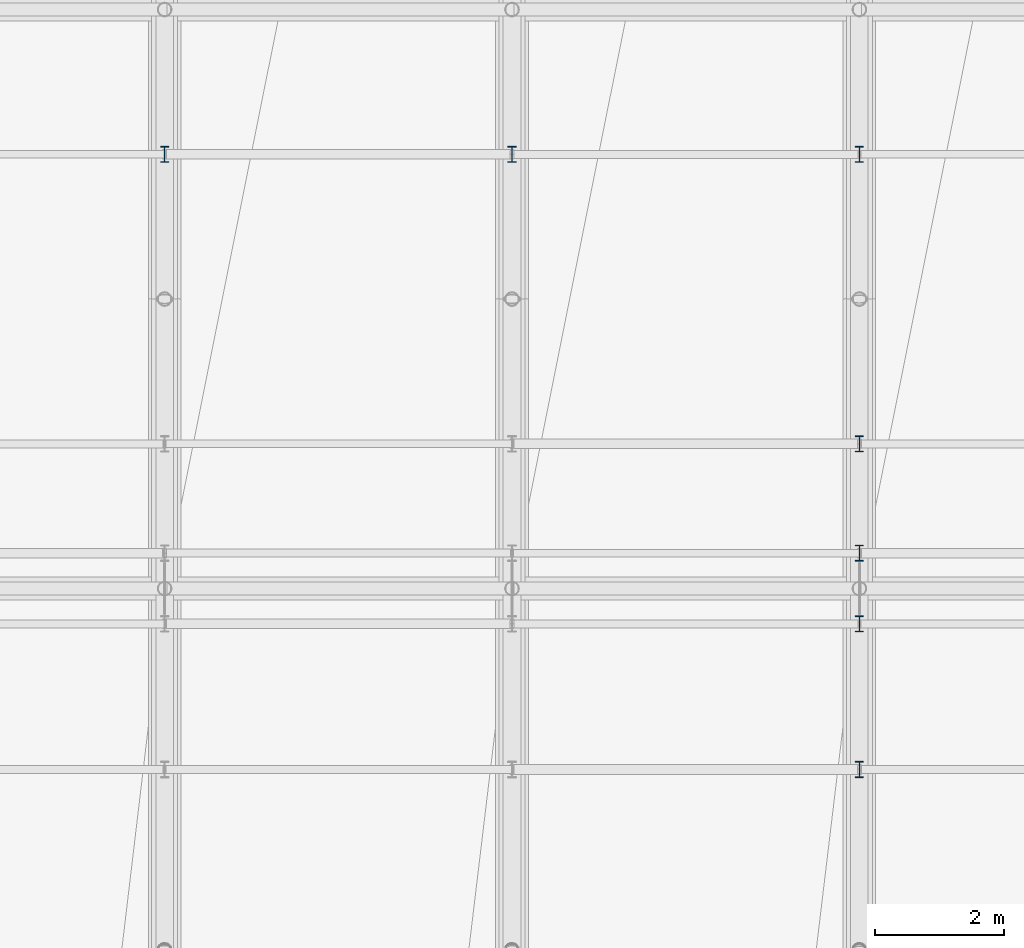
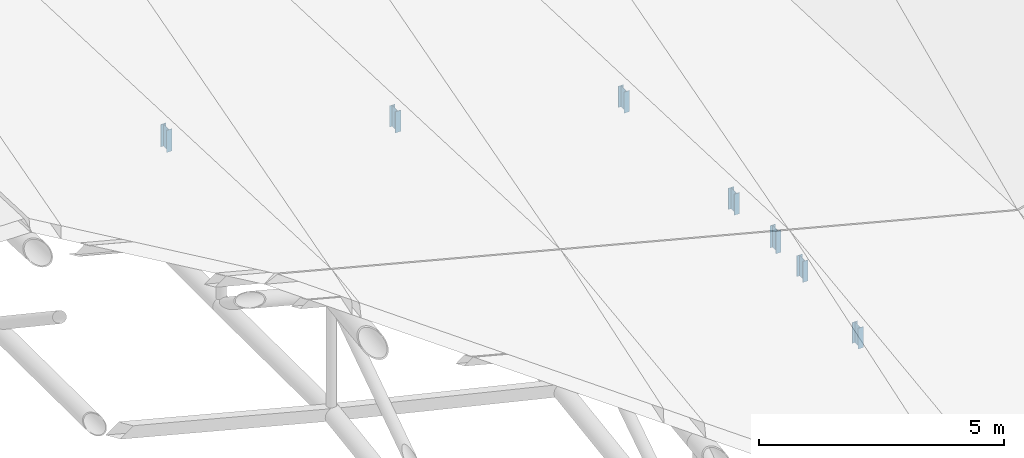
# One storey, part 73 of 109: 7 members.
"""IFC4 building model written with IfcOpenShell, lengths in metres."""

from ifc_helpers import new_model, si_unit, direction, frame, origin, origin_2d, place, context, subcontext, project, spatial, i_section, extrude, material, material_profile, profile_set, type_object, element, save


model = new_model("IFC4")

# Units and contexts
model_context = context("Model", 3, precision=1e-05, world=origin(), true_north=direction((0.0, 1.0)))
body_context = subcontext(model_context, "Body", "Model", "MODEL_VIEW")
ifc_project = project(units=[si_unit("LENGTHUNIT", "METRE"), si_unit("AREAUNIT", "SQUARE_METRE"), si_unit("VOLUMEUNIT", "CUBIC_METRE"), si_unit("PLANEANGLEUNIT", "RADIAN"), si_unit("MASSUNIT", "GRAM", prefix="KILO")], contexts=[model_context])

# Site, building, storey
site_placement = place(None, origin())
site = spatial("IfcSite", under=ifc_project, at=site_placement, CompositionType="ELEMENT")
building_placement = place(site_placement, origin())
building = spatial("IfcBuilding", under=site, at=building_placement, Name="Suirenkawa Promenade Aquatics Centre", CompositionType="ELEMENT")
storey_placement = place(building_placement, frame((0.0, 0.0, 22.800048828125)))
storey = spatial("IfcBuildingStorey", under=building, at=storey_placement, Name="ROOF", CompositionType="ELEMENT", Elevation=22.800048828125)

# Members
ifc_material = material(Name="Steel IS 2062 E350 (Grade 350)", Category="steel")
ifc_material_profile = material_profile(ifc_material, i_section(OverallWidth=0.125, OverallDepth=0.25, WebThickness=0.007080078125, FlangeThickness=0.012939453125, at=origin_2d()), Name="ISMB 250", Category="steel")
ifc_profile_set = profile_set([ifc_material_profile], Name="Steel IS 2062 E350 (Grade 350)")
member_type = type_object("IfcMemberType", Name="MT-WEB-CHS168", PredefinedType="BRACE", material=ifc_profile_set)
member_1_placement = place(storey_placement, frame((117.0, 102.14990234375, -5.4951171875), z_axis=(0.0, 0.0, 1.0), x_axis=(1.0, 0.0, 0.0)))
element("IfcMember", 1, at=member_1_placement, inside=storey, type_object=member_type, Name="ROOF TRUSS Purlin cleat post TD-03 MB-2144", PredefinedType="BRACE", context=body_context, shape_type="SweptSolid", body=[
    extrude(i_section(OverallWidth=0.125, OverallDepth=0.25, WebThickness=0.007080078125, FlangeThickness=0.012939453125, at=origin_2d()), origin(), (0.0, 0.0, 1.0), 0.552978515625),
])
member_2_placement = place(storey_placement, frame((122.39990234375, 102.14990234375, -6.89501953125), z_axis=(0.0, 0.0, 1.0), x_axis=(1.0, 0.0, 0.0)))
element("IfcMember", 2, at=member_2_placement, inside=storey, type_object=member_type, Name="ROOF TRUSS Purlin cleat post TD-03 MB-2180", PredefinedType="BRACE", context=body_context, shape_type="SweptSolid", body=[
    extrude(i_section(OverallWidth=0.125, OverallDepth=0.25, WebThickness=0.007080078125, FlangeThickness=0.012939453125, at=origin_2d()), origin(), (0.0, 0.0, 1.0), 0.528076171875),
])
member_3_placement = place(storey_placement, frame((127.800048828125, 92.587890625, -8.382080078125), z_axis=(0.0, 0.0, 1.0), x_axis=(1.0, 0.0, 0.0)))
element("IfcMember", 3, at=member_3_placement, inside=storey, type_object=member_type, Name="ROOF TRUSS Purlin cleat post TD-03 MB-2208", PredefinedType="BRACE", context=body_context, shape_type="SweptSolid", body=[
    extrude(i_section(OverallWidth=0.125, OverallDepth=0.25, WebThickness=0.007080078125, FlangeThickness=0.012939453125, at=origin_2d()), origin(), (0.0, 0.0, 1.0), 0.51904296875),
])
member_4_placement = place(storey_placement, frame((127.800048828125, 94.85009765625, -8.091064453125), z_axis=(0.0, 0.0, 1.0), x_axis=(1.0, 0.0, 0.0)))
element("IfcMember", 4, at=member_4_placement, inside=storey, type_object=member_type, Name="ROOF TRUSS Purlin cleat post TD-03 MB-2210", PredefinedType="BRACE", context=body_context, shape_type="SweptSolid", body=[
    extrude(i_section(OverallWidth=0.125, OverallDepth=0.25, WebThickness=0.007080078125, FlangeThickness=0.012939453125, at=origin_2d()), origin(), (0.0, 0.0, 1.0), 0.52099609375),
])
member_5_placement = place(storey_placement, frame((127.800048828125, 95.949951171875, -8.0419921875), z_axis=(0.0, 0.0, 1.0), x_axis=(1.0, 0.0, 0.0)))
element("IfcMember", 5, at=member_5_placement, inside=storey, type_object=member_type, Name="ROOF TRUSS Purlin cleat post TD-03 MB-2212", PredefinedType="BRACE", context=body_context, shape_type="SweptSolid", body=[
    extrude(i_section(OverallWidth=0.125, OverallDepth=0.25, WebThickness=0.007080078125, FlangeThickness=0.012939453125, at=origin_2d()), origin(), (0.0, 0.0, 1.0), 0.552978515625),
])
for number, where, z_axis, x_axis, name in (
    (6, (127.800048828125, 97.64990234375, -8.112060546875), (0.0, 0.0, 1.0), (1.0, 0.0, 0.0), "ROOF TRUSS Purlin cleat post TD-03 MB-2214"),
    (7, (127.800048828125, 102.14990234375, -8.295166015625), (0.0, 0.0, 1.0), (1.0, 0.0, 0.0), "ROOF TRUSS Purlin cleat post TD-03 MB-2216"),
):
    element("IfcMember", number, at=place(storey_placement, frame(where, z_axis=z_axis, x_axis=x_axis)), inside=storey, type_object=member_type, Name=name, PredefinedType="BRACE", context=body_context, shape_type="SweptSolid", body=[
        extrude(i_section(OverallWidth=0.125, OverallDepth=0.25, WebThickness=0.007080078125, FlangeThickness=0.012939453125, at=origin_2d()), origin(), (0.0, 0.0, 1.0), 0.528076171875),
    ])

save(model, "model.ifc")
